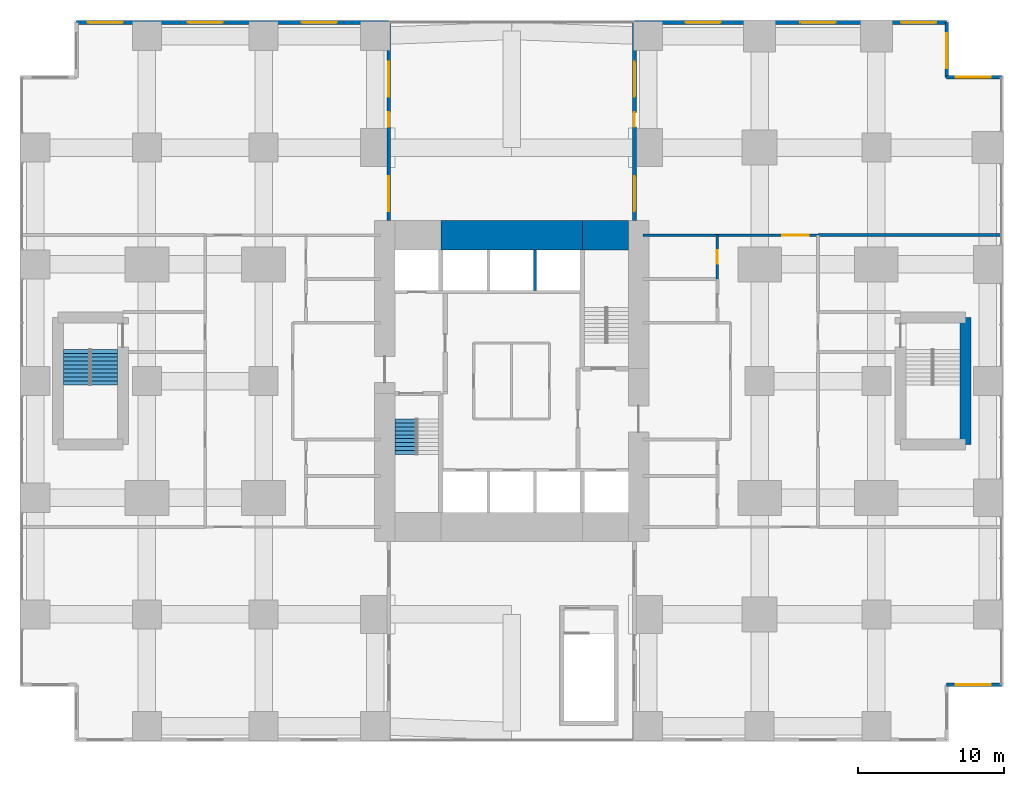
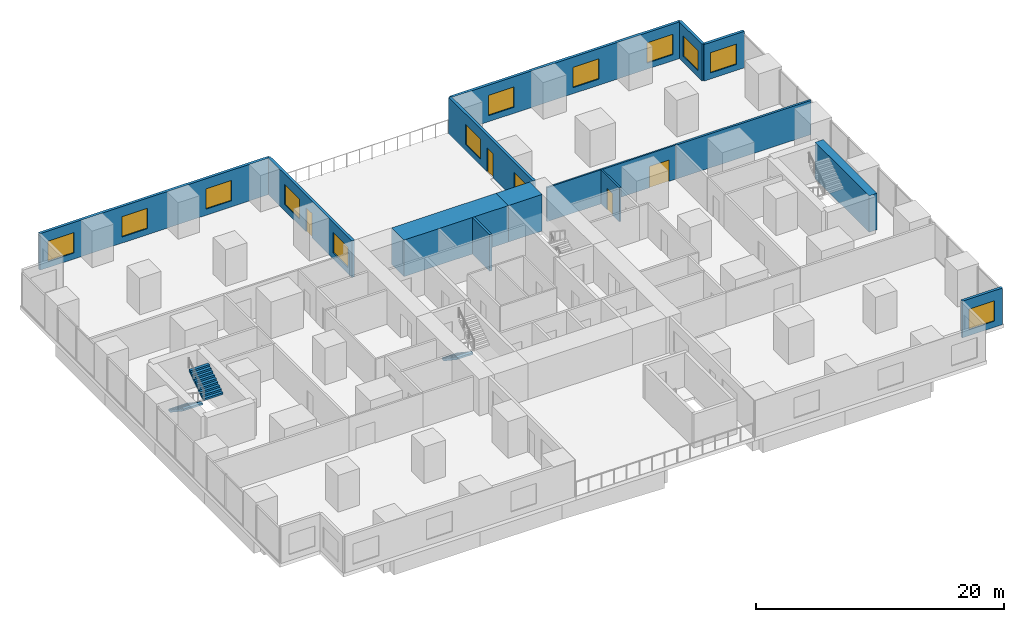
# One storey, part 13 of 15: 14 walls, 13 windows, 4 doors, 3 stair flights, 17 openings, 2 elements without a shape of their own.
"""IFC4 building model written with IfcOpenShell, lengths in metres."""

from ifc_helpers import new_model, si_unit, direction, frame, frame_2d, origin, place, context, subcontext, project, spatial, polyline, rectangle, outline, extrude, material, layer, layer_set, type_object, element, fill, aggregate, save


model = new_model("IFC4")

# Units and contexts
model_context = context("Model", 3, precision=1e-05, world=origin(), true_north=direction((0.0, 1.0)))
body_context = subcontext(model_context, "Body", "Model", "MODEL_VIEW")
ifc_project = project(units=[si_unit("LENGTHUNIT", "METRE"), si_unit("AREAUNIT", "SQUARE_METRE"), si_unit("VOLUMEUNIT", "CUBIC_METRE"), si_unit("PLANEANGLEUNIT", "RADIAN"), si_unit("MASSUNIT", "GRAM", prefix="KILO")], contexts=[model_context])

# Site, building, storey
site_placement = place(None, origin())
site = spatial("IfcSite", under=ifc_project, at=site_placement, CompositionType="ELEMENT")
building_placement = place(site_placement, origin())
building = spatial("IfcBuilding", under=site, at=building_placement, Name="Cleftline Residences", CompositionType="ELEMENT")
storey_placement = place(building_placement, frame((0.0, 0.0, 26.0)))
storey = spatial("IfcBuildingStorey", under=building, at=storey_placement, Name="L05", CompositionType="ELEMENT", Elevation=26.0)

# Walls
ifc_material_1 = material(Name="Concrete B70", Category="concrete")
ifc_layer_1 = layer(ifc_material_1, 2.0)
ifc_layer_set_1 = layer_set([ifc_layer_1], Name="CORE WALL 2000")
wall_type_1 = type_object("IfcWallType", Name="CORE WALL 2000", PredefinedType="SHEAR", material=ifc_layer_set_1)
wall_1_placement = place(storey_placement, frame((28.14990234375, 34.0, 0.0), z_axis=(0.0, 0.0, 1.0), x_axis=(1.0, 0.0, 0.0)))
element("IfcWall", 1, at=wall_1_placement, inside=storey, type_object=wall_type_1, Name="Core wall N2", PredefinedType="SHEAR", context=body_context, shape_type="SweptSolid", body=[
    extrude(rectangle(XDim=9.7001953125, YDim=2.0, at=frame_2d((4.85009765625, 0.0))), origin(), (0.0, 0.0, 1.0), 3.60009765625),
])
wall_2_placement = place(storey_placement, frame((37.85009765625, 34.0, 0.0), z_axis=(0.0, 0.0, 1.0), x_axis=(1.0, 0.0, 0.0)))
element("IfcWall", 2, at=wall_2_placement, inside=storey, type_object=wall_type_1, Name="Core wall N3", PredefinedType="SHEAR", context=body_context, shape_type="SweptSolid", body=[
    extrude(rectangle(XDim=3.14990234375, YDim=2.0, at=frame_2d((1.574951171875, 0.0))), origin(), (0.0, 0.0, 1.0), 3.60009765625),
])

# Wall, opening, window
ifc_material_2 = material(Name="Rendered reinforced concrete blockwork", Category="masonry")
ifc_layer_2 = layer(ifc_material_2, 0.25)
ifc_layer_set_2 = layer_set([ifc_layer_2], Name="EXTERNAL WALL 250")
wall_type_2 = type_object("IfcWallType", Name="EXTERNAL WALL 250", PredefinedType="SOLIDWALL", material=ifc_layer_set_2)
wall_3_placement = place(storey_placement, frame((62.824951171875, 3.175048828125, 0.0), z_axis=(0.0, 0.0, 1.0), x_axis=(1.0, 0.0, 0.0)))
wall_3 = element("IfcWall", 3, at=wall_3_placement, inside=storey, type_object=wall_type_2, Name="External wall", PredefinedType="SOLIDWALL", context=body_context, shape_type="SweptSolid", body=[
    extrude(rectangle(XDim=3.75, YDim=0.25, at=frame_2d((1.875, 0.0))), origin(), (0.0, 0.0, 1.0), 3.60009765625),
])
opening_1_placement = place(wall_3_placement, frame((0.612548828125, 0.0, 0.60009765625)))
opening_1 = element("IfcOpeningElement", 4, at=opening_1_placement, cuts=wall_3, Name="Opening W6", PredefinedType="OPENING", context=body_context, shape_type="SweptSolid", body=[
    extrude(rectangle(XDim=2.39990234375, YDim=2.0, at=frame_2d((1.199951171875, 1.0))), frame((0.0, 0.135009765625, 0.0), z_axis=(0.0, -1.0, 0.0), x_axis=(1.0, 0.0, 0.0)), (0.0, 0.0, 1.0), 0.27001953125),
])
ifc_material_3 = material(Name="Aluminium frame, clear double glazing", Category="aluminium")
window_type = type_object("IfcWindowType", Name="WINDOW 2400X2000", PartitioningType="DOUBLE_PANEL_VERTICAL", PredefinedType="WINDOW", material=ifc_material_3)
window_1_placement = place(opening_1_placement, origin())
window_1 = element("IfcWindow", 5, at=window_1_placement, inside=storey, type_object=window_type, Name="Window", OverallHeight=2.0, OverallWidth=2.39990234375, PartitioningType="SINGLE_PANEL", PredefinedType="WINDOW", context=body_context, shape_type="SweptSolid", body=[
    extrude(rectangle(XDim=2.39990234375, YDim=2.0, at=frame_2d((1.199951171875, 1.0))), frame((0.0, 0.030029296875, 0.0), z_axis=(0.0, -1.0, 0.0), x_axis=(1.0, 0.0, 0.0)), (0.0, 0.0, 1.0), 0.06005859375),
])
fill(opening_1, window_1)

wall_4_placement = place(storey_placement, frame((66.574951171875, 44.824951171875, 0.0), z_axis=(0.0, 0.0, 1.0), x_axis=(-1.0, 0.0, 0.0)))
wall_4 = element("IfcWall", 6, at=wall_4_placement, inside=storey, type_object=wall_type_2, Name="External wall", PredefinedType="SOLIDWALL", context=body_context, shape_type="SweptSolid", body=[
    extrude(rectangle(XDim=3.75, YDim=0.25, at=frame_2d((1.875, 0.0))), origin(), (0.0, 0.0, 1.0), 3.60009765625),
])
opening_2_placement = place(wall_4_placement, frame((0.737548828125, 0.0, 0.60009765625)))
opening_2 = element("IfcOpeningElement", 7, at=opening_2_placement, cuts=wall_4, Name="Opening W6", PredefinedType="OPENING", context=body_context, shape_type="SweptSolid", body=[
    extrude(rectangle(XDim=2.39990234375, YDim=2.0, at=frame_2d((1.199951171875, 1.0))), frame((0.0, 0.135009765625, 0.0), z_axis=(0.0, -1.0, 0.0), x_axis=(1.0, 0.0, 0.0)), (0.0, 0.0, 1.0), 0.27001953125),
])
window_2_placement = place(opening_2_placement, origin())
window_2 = element("IfcWindow", 8, at=window_2_placement, inside=storey, type_object=window_type, Name="Window", OverallHeight=2.0, OverallWidth=2.39990234375, PartitioningType="SINGLE_PANEL", PredefinedType="WINDOW", context=body_context, shape_type="SweptSolid", body=[
    extrude(rectangle(XDim=2.39990234375, YDim=2.0, at=frame_2d((1.199951171875, 1.0))), frame((0.0, 0.030029296875, 0.0), z_axis=(0.0, -1.0, 0.0), x_axis=(1.0, 0.0, 0.0)), (0.0, 0.0, 1.0), 0.06005859375),
])
fill(opening_2, window_2)

wall_5_placement = place(storey_placement, frame((62.824951171875, 44.824951171875, 0.0), z_axis=(0.0, 0.0, 1.0), x_axis=(0.0, 1.0, 0.0)))
wall_5 = element("IfcWall", 9, at=wall_5_placement, inside=storey, type_object=wall_type_2, Name="External wall", PredefinedType="SOLIDWALL", context=body_context, shape_type="SweptSolid", body=[
    extrude(rectangle(XDim=3.75, YDim=0.25, at=frame_2d((1.875, 0.0))), origin(), (0.0, 0.0, 1.0), 3.60009765625),
])
opening_3_placement = place(wall_5_placement, frame((0.612548828125, 0.0, 0.60009765625)))
opening_3 = element("IfcOpeningElement", 10, at=opening_3_placement, cuts=wall_5, Name="Opening W6", PredefinedType="OPENING", context=body_context, shape_type="SweptSolid", body=[
    extrude(rectangle(XDim=2.39990234375, YDim=2.0, at=frame_2d((1.199951171875, 1.0))), frame((0.0, 0.135009765625, 0.0), z_axis=(0.0, -1.0, 0.0), x_axis=(1.0, 0.0, 0.0)), (0.0, 0.0, 1.0), 0.27001953125),
])
window_3_placement = place(opening_3_placement, origin())
window_3 = element("IfcWindow", 11, at=window_3_placement, inside=storey, type_object=window_type, Name="Window", OverallHeight=2.0, OverallWidth=2.39990234375, PartitioningType="SINGLE_PANEL", PredefinedType="WINDOW", context=body_context, shape_type="SweptSolid", body=[
    extrude(rectangle(XDim=2.39990234375, YDim=2.0, at=frame_2d((1.199951171875, 1.0))), frame((0.0, 0.030029296875, 0.0), z_axis=(0.0, -1.0, 0.0), x_axis=(1.0, 0.0, 0.0)), (0.0, 0.0, 1.0), 0.06005859375),
])
fill(opening_3, window_3)

# Wall, openings, windows
wall_6_placement = place(storey_placement, frame((62.824951171875, 48.574951171875, 0.0), z_axis=(0.0, 0.0, 1.0), x_axis=(-1.0, 0.0, 0.0)))
wall_6 = element("IfcWall", 12, at=wall_6_placement, inside=storey, type_object=wall_type_2, Name="External wall", PredefinedType="SOLIDWALL", context=body_context, shape_type="SweptSolid", body=[
    extrude(rectangle(XDim=21.39990234375, YDim=0.25, at=frame_2d((10.699951171875, 0.0))), origin(), (0.0, 0.0, 1.0), 3.60009765625),
])
opening_4_placement = place(wall_6_placement, frame((0.72509765625, 0.0, 0.60009765625)))
opening_4 = element("IfcOpeningElement", 13, at=opening_4_placement, cuts=wall_6, Name="Opening W6", PredefinedType="OPENING", context=body_context, shape_type="SweptSolid", body=[
    extrude(rectangle(XDim=2.39990234375, YDim=2.0, at=frame_2d((1.199951171875, 1.0))), frame((0.0, 0.135009765625, 0.0), z_axis=(0.0, -1.0, 0.0), x_axis=(1.0, 0.0, 0.0)), (0.0, 0.0, 1.0), 0.27001953125),
])
opening_5_placement = place(wall_6_placement, frame((7.625, 0.0, 0.60009765625)))
opening_5 = element("IfcOpeningElement", 14, at=opening_5_placement, cuts=wall_6, Name="Opening W6", PredefinedType="OPENING", context=body_context, shape_type="SweptSolid", body=[
    extrude(rectangle(XDim=2.39990234375, YDim=2.0, at=frame_2d((1.199951171875, 1.0))), frame((0.0, 0.135009765625, 0.0), z_axis=(0.0, -1.0, 0.0), x_axis=(1.0, 0.0, 0.0)), (0.0, 0.0, 1.0), 0.27001953125),
])
opening_6_placement = place(wall_6_placement, frame((15.5, 0.0, 0.60009765625)))
opening_6 = element("IfcOpeningElement", 15, at=opening_6_placement, cuts=wall_6, Name="Opening W6", PredefinedType="OPENING", context=body_context, shape_type="SweptSolid", body=[
    extrude(rectangle(XDim=2.39990234375, YDim=2.0, at=frame_2d((1.199951171875, 1.0))), frame((0.0, 0.135009765625, 0.0), z_axis=(0.0, -1.0, 0.0), x_axis=(1.0, 0.0, 0.0)), (0.0, 0.0, 1.0), 0.27001953125),
])
window_4_placement = place(opening_4_placement, origin())
window_4 = element("IfcWindow", 16, at=window_4_placement, inside=storey, type_object=window_type, Name="Window", OverallHeight=2.0, OverallWidth=2.39990234375, PartitioningType="SINGLE_PANEL", PredefinedType="WINDOW", context=body_context, shape_type="SweptSolid", body=[
    extrude(rectangle(XDim=2.39990234375, YDim=2.0, at=frame_2d((1.199951171875, 1.0))), frame((0.0, 0.030029296875, 0.0), z_axis=(0.0, -1.0, 0.0), x_axis=(1.0, 0.0, 0.0)), (0.0, 0.0, 1.0), 0.06005859375),
])
fill(opening_4, window_4)
window_5_placement = place(opening_5_placement, origin())
window_5 = element("IfcWindow", 17, at=window_5_placement, inside=storey, type_object=window_type, Name="Window", OverallHeight=2.0, OverallWidth=2.39990234375, PartitioningType="SINGLE_PANEL", PredefinedType="WINDOW", context=body_context, shape_type="SweptSolid", body=[
    extrude(rectangle(XDim=2.39990234375, YDim=2.0, at=frame_2d((1.199951171875, 1.0))), frame((0.0, 0.030029296875, 0.0), z_axis=(0.0, -1.0, 0.0), x_axis=(1.0, 0.0, 0.0)), (0.0, 0.0, 1.0), 0.06005859375),
])
fill(opening_5, window_5)
window_6_placement = place(opening_6_placement, origin())
window_6 = element("IfcWindow", 18, at=window_6_placement, inside=storey, type_object=window_type, Name="Window", OverallHeight=2.0, OverallWidth=2.39990234375, PartitioningType="SINGLE_PANEL", PredefinedType="WINDOW", context=body_context, shape_type="SweptSolid", body=[
    extrude(rectangle(XDim=2.39990234375, YDim=2.0, at=frame_2d((1.199951171875, 1.0))), frame((0.0, 0.030029296875, 0.0), z_axis=(0.0, -1.0, 0.0), x_axis=(1.0, 0.0, 0.0)), (0.0, 0.0, 1.0), 0.06005859375),
])
fill(opening_6, window_6)

# Wall, openings, door, windows
wall_7_placement = place(storey_placement, frame((41.425048828125, 48.574951171875, 0.0), z_axis=(0.0, 0.0, 1.0), x_axis=(0.0, -1.0, 0.0)))
wall_7 = element("IfcWall", 19, at=wall_7_placement, inside=storey, type_object=wall_type_2, Name="External wall", PredefinedType="SOLIDWALL", context=body_context, shape_type="SweptSolid", body=[
    extrude(rectangle(XDim=13.574951171875, YDim=0.25, at=frame_2d((6.78759765625, 0.0))), origin(), (0.0, 0.0, 1.0), 3.60009765625),
])
opening_7_placement = place(wall_7_placement, frame((6.14990234375, 0.0, 0.0)))
opening_7 = element("IfcOpeningElement", 20, at=opening_7_placement, cuts=wall_7, Name="Opening DT1", PredefinedType="OPENING", context=body_context, shape_type="SweptSolid", body=[
    extrude(rectangle(XDim=1.0, YDim=2.39990234375, at=frame_2d((0.5, 1.199951171875))), frame((0.0, 0.135009765625, 0.0), z_axis=(0.0, -1.0, 0.0), x_axis=(1.0, 0.0, 0.0)), (0.0, 0.0, 1.0), 0.27001953125),
])
opening_8_placement = place(wall_7_placement, frame((2.6875, 0.0, 0.60009765625)))
opening_8 = element("IfcOpeningElement", 21, at=opening_8_placement, cuts=wall_7, Name="Opening W6", PredefinedType="OPENING", context=body_context, shape_type="SweptSolid", body=[
    extrude(rectangle(XDim=2.39990234375, YDim=2.0, at=frame_2d((1.199951171875, 1.0))), frame((0.0, 0.135009765625, 0.0), z_axis=(0.0, -1.0, 0.0), x_axis=(1.0, 0.0, 0.0)), (0.0, 0.0, 1.0), 0.27001953125),
])
opening_9_placement = place(wall_7_placement, frame((10.52490234375, 0.0, 0.60009765625)))
opening_9 = element("IfcOpeningElement", 22, at=opening_9_placement, cuts=wall_7, Name="Opening W6", PredefinedType="OPENING", context=body_context, shape_type="SweptSolid", body=[
    extrude(rectangle(XDim=2.39990234375, YDim=2.0, at=frame_2d((1.199951171875, 1.0))), frame((0.0, 0.135009765625, 0.0), z_axis=(0.0, -1.0, 0.0), x_axis=(1.0, 0.0, 0.0)), (0.0, 0.0, 1.0), 0.27001953125),
])
ifc_material_4 = material(Name="Aluminium and laminated glass", Category="aluminium")
door_type_1 = type_object("IfcDoorType", Name="TERRACE DOOR 1000X2400", OperationType="SINGLE_SWING_LEFT", PredefinedType="DOOR", material=ifc_material_4)
door_1_placement = place(opening_7_placement, origin())
door_1 = element("IfcDoor", 23, at=door_1_placement, inside=storey, type_object=door_type_1, Name="Terrace door", OperationType="SINGLE_SWING_RIGHT", OverallHeight=2.39990234375, OverallWidth=1.0, PredefinedType="DOOR", context=body_context, shape_type="SweptSolid", body=[
    extrude(rectangle(XDim=1.0, YDim=2.39990234375, at=frame_2d((0.5, 1.199951171875))), frame((0.0, 0.02490234375, 0.0), z_axis=(0.0, -1.0, 0.0), x_axis=(1.0, 0.0, 0.0)), (0.0, 0.0, 1.0), 0.050048828125),
])
fill(opening_7, door_1)
window_7_placement = place(opening_8_placement, origin())
window_7 = element("IfcWindow", 24, at=window_7_placement, inside=storey, type_object=window_type, Name="Window", OverallHeight=2.0, OverallWidth=2.39990234375, PartitioningType="SINGLE_PANEL", PredefinedType="WINDOW", context=body_context, shape_type="SweptSolid", body=[
    extrude(rectangle(XDim=2.39990234375, YDim=2.0, at=frame_2d((1.199951171875, 1.0))), frame((0.0, 0.030029296875, 0.0), z_axis=(0.0, -1.0, 0.0), x_axis=(1.0, 0.0, 0.0)), (0.0, 0.0, 1.0), 0.06005859375),
])
fill(opening_8, window_7)
window_8_placement = place(opening_9_placement, origin())
window_8 = element("IfcWindow", 25, at=window_8_placement, inside=storey, type_object=window_type, Name="Window", OverallHeight=2.0, OverallWidth=2.39990234375, PartitioningType="SINGLE_PANEL", PredefinedType="WINDOW", context=body_context, shape_type="SweptSolid", body=[
    extrude(rectangle(XDim=2.39990234375, YDim=2.0, at=frame_2d((1.199951171875, 1.0))), frame((0.0, 0.030029296875, 0.0), z_axis=(0.0, -1.0, 0.0), x_axis=(1.0, 0.0, 0.0)), (0.0, 0.0, 1.0), 0.06005859375),
])
fill(opening_9, window_8)

wall_8_placement = place(storey_placement, frame((24.574951171875, 35.0, 0.0), z_axis=(0.0, 0.0, 1.0), x_axis=(0.0, 1.0, 0.0)))
wall_8 = element("IfcWall", 26, at=wall_8_placement, inside=storey, type_object=wall_type_2, Name="External wall", PredefinedType="SOLIDWALL", context=body_context, shape_type="SweptSolid", body=[
    extrude(rectangle(XDim=13.574951171875, YDim=0.25, at=frame_2d((6.78759765625, 0.0))), origin(), (0.0, 0.0, 1.0), 3.60009765625),
])
opening_10_placement = place(wall_8_placement, frame((6.425048828125, 0.0, 0.0)))
opening_10 = element("IfcOpeningElement", 27, at=opening_10_placement, cuts=wall_8, Name="Opening DT1", PredefinedType="OPENING", context=body_context, shape_type="SweptSolid", body=[
    extrude(rectangle(XDim=1.0, YDim=2.39990234375, at=frame_2d((0.5, 1.199951171875))), frame((0.0, 0.135009765625, 0.0), z_axis=(0.0, -1.0, 0.0), x_axis=(1.0, 0.0, 0.0)), (0.0, 0.0, 1.0), 0.27001953125),
])
opening_11_placement = place(wall_8_placement, frame((0.64990234375, 0.0, 0.60009765625)))
opening_11 = element("IfcOpeningElement", 28, at=opening_11_placement, cuts=wall_8, Name="Opening W6", PredefinedType="OPENING", context=body_context, shape_type="SweptSolid", body=[
    extrude(rectangle(XDim=2.39990234375, YDim=2.0, at=frame_2d((1.199951171875, 1.0))), frame((0.0, 0.135009765625, 0.0), z_axis=(0.0, -1.0, 0.0), x_axis=(1.0, 0.0, 0.0)), (0.0, 0.0, 1.0), 0.27001953125),
])
opening_12_placement = place(wall_8_placement, frame((8.487548828125, 0.0, 0.60009765625)))
opening_12 = element("IfcOpeningElement", 29, at=opening_12_placement, cuts=wall_8, Name="Opening W6", PredefinedType="OPENING", context=body_context, shape_type="SweptSolid", body=[
    extrude(rectangle(XDim=2.39990234375, YDim=2.0, at=frame_2d((1.199951171875, 1.0))), frame((0.0, 0.135009765625, 0.0), z_axis=(0.0, -1.0, 0.0), x_axis=(1.0, 0.0, 0.0)), (0.0, 0.0, 1.0), 0.27001953125),
])
door_2_placement = place(opening_10_placement, origin())
door_2 = element("IfcDoor", 30, at=door_2_placement, inside=storey, type_object=door_type_1, Name="Terrace door", OperationType="SINGLE_SWING_LEFT", OverallHeight=2.39990234375, OverallWidth=1.0, PredefinedType="DOOR", context=body_context, shape_type="SweptSolid", body=[
    extrude(rectangle(XDim=1.0, YDim=2.39990234375, at=frame_2d((0.5, 1.199951171875))), frame((0.0, 0.02490234375, 0.0), z_axis=(0.0, -1.0, 0.0), x_axis=(1.0, 0.0, 0.0)), (0.0, 0.0, 1.0), 0.050048828125),
])
fill(opening_10, door_2)
window_9_placement = place(opening_11_placement, origin())
window_9 = element("IfcWindow", 31, at=window_9_placement, inside=storey, type_object=window_type, Name="Window", OverallHeight=2.0, OverallWidth=2.39990234375, PartitioningType="SINGLE_PANEL", PredefinedType="WINDOW", context=body_context, shape_type="SweptSolid", body=[
    extrude(rectangle(XDim=2.39990234375, YDim=2.0, at=frame_2d((1.199951171875, 1.0))), frame((0.0, 0.030029296875, 0.0), z_axis=(0.0, -1.0, 0.0), x_axis=(1.0, 0.0, 0.0)), (0.0, 0.0, 1.0), 0.06005859375),
])
fill(opening_11, window_9)
window_10_placement = place(opening_12_placement, origin())
window_10 = element("IfcWindow", 32, at=window_10_placement, inside=storey, type_object=window_type, Name="Window", OverallHeight=2.0, OverallWidth=2.39990234375, PartitioningType="SINGLE_PANEL", PredefinedType="WINDOW", context=body_context, shape_type="SweptSolid", body=[
    extrude(rectangle(XDim=2.39990234375, YDim=2.0, at=frame_2d((1.199951171875, 1.0))), frame((0.0, 0.030029296875, 0.0), z_axis=(0.0, -1.0, 0.0), x_axis=(1.0, 0.0, 0.0)), (0.0, 0.0, 1.0), 0.06005859375),
])
fill(opening_12, window_10)

# Wall, openings, windows
wall_9_placement = place(storey_placement, frame((24.574951171875, 48.574951171875, 0.0), z_axis=(0.0, 0.0, 1.0), x_axis=(-1.0, 0.0, 0.0)))
wall_9 = element("IfcWall", 33, at=wall_9_placement, inside=storey, type_object=wall_type_2, Name="External wall", PredefinedType="SOLIDWALL", context=body_context, shape_type="SweptSolid", body=[
    extrude(rectangle(XDim=21.39990234375, YDim=0.25, at=frame_2d((10.699951171875, 0.0))), origin(), (0.0, 0.0, 1.0), 3.60009765625),
])
opening_13_placement = place(wall_9_placement, frame((3.550048828125, 0.0, 0.60009765625)))
opening_13 = element("IfcOpeningElement", 34, at=opening_13_placement, cuts=wall_9, Name="Opening W6", PredefinedType="OPENING", context=body_context, shape_type="SweptSolid", body=[
    extrude(rectangle(XDim=2.39990234375, YDim=2.0, at=frame_2d((1.199951171875, 1.0))), frame((0.0, 0.135009765625, 0.0), z_axis=(0.0, -1.0, 0.0), x_axis=(1.0, 0.0, 0.0)), (0.0, 0.0, 1.0), 0.27001953125),
])
opening_14_placement = place(wall_9_placement, frame((11.375, 0.0, 0.60009765625)))
opening_14 = element("IfcOpeningElement", 35, at=opening_14_placement, cuts=wall_9, Name="Opening W6", PredefinedType="OPENING", context=body_context, shape_type="SweptSolid", body=[
    extrude(rectangle(XDim=2.39990234375, YDim=2.0, at=frame_2d((1.199951171875, 1.0))), frame((0.0, 0.135009765625, 0.0), z_axis=(0.0, -1.0, 0.0), x_axis=(1.0, 0.0, 0.0)), (0.0, 0.0, 1.0), 0.27001953125),
])
opening_15_placement = place(wall_9_placement, frame((18.22509765625, 0.0, 0.60009765625)))
opening_15 = element("IfcOpeningElement", 36, at=opening_15_placement, cuts=wall_9, Name="Opening W6", PredefinedType="OPENING", context=body_context, shape_type="SweptSolid", body=[
    extrude(rectangle(XDim=2.39990234375, YDim=2.0, at=frame_2d((1.199951171875, 1.0))), frame((0.0, 0.135009765625, 0.0), z_axis=(0.0, -1.0, 0.0), x_axis=(1.0, 0.0, 0.0)), (0.0, 0.0, 1.0), 0.27001953125),
])
window_11_placement = place(opening_13_placement, origin())
window_11 = element("IfcWindow", 37, at=window_11_placement, inside=storey, type_object=window_type, Name="Window", OverallHeight=2.0, OverallWidth=2.39990234375, PartitioningType="SINGLE_PANEL", PredefinedType="WINDOW", context=body_context, shape_type="SweptSolid", body=[
    extrude(rectangle(XDim=2.39990234375, YDim=2.0, at=frame_2d((1.199951171875, 1.0))), frame((0.0, 0.030029296875, 0.0), z_axis=(0.0, -1.0, 0.0), x_axis=(1.0, 0.0, 0.0)), (0.0, 0.0, 1.0), 0.06005859375),
])
fill(opening_13, window_11)
window_12_placement = place(opening_14_placement, origin())
window_12 = element("IfcWindow", 38, at=window_12_placement, inside=storey, type_object=window_type, Name="Window", OverallHeight=2.0, OverallWidth=2.39990234375, PartitioningType="SINGLE_PANEL", PredefinedType="WINDOW", context=body_context, shape_type="SweptSolid", body=[
    extrude(rectangle(XDim=2.39990234375, YDim=2.0, at=frame_2d((1.199951171875, 1.0))), frame((0.0, 0.030029296875, 0.0), z_axis=(0.0, -1.0, 0.0), x_axis=(1.0, 0.0, 0.0)), (0.0, 0.0, 1.0), 0.06005859375),
])
fill(opening_14, window_12)
window_13_placement = place(opening_15_placement, origin())
window_13 = element("IfcWindow", 39, at=window_13_placement, inside=storey, type_object=window_type, Name="Window", OverallHeight=2.0, OverallWidth=2.39990234375, PartitioningType="SINGLE_PANEL", PredefinedType="WINDOW", context=body_context, shape_type="SweptSolid", body=[
    extrude(rectangle(XDim=2.39990234375, YDim=2.0, at=frame_2d((1.199951171875, 1.0))), frame((0.0, 0.030029296875, 0.0), z_axis=(0.0, -1.0, 0.0), x_axis=(1.0, 0.0, 0.0)), (0.0, 0.0, 1.0), 0.06005859375),
])
fill(opening_15, window_13)

# Wall
ifc_material_5 = material(Name="Concrete blockwork, fire rated", Category="masonry")
ifc_layer_3 = layer(ifc_material_5, 0.199951171875)
ifc_layer_set_3 = layer_set([ifc_layer_3], Name="FIRE WALL 200")
wall_type_3 = type_object("IfcWallType", Name="FIRE WALL 200", PredefinedType="PARTITIONING", material=ifc_layer_set_3)
wall_10_placement = place(storey_placement, frame((54.0, 34.0, 0.0), z_axis=(0.0, 0.0, 1.0), x_axis=(1.0, 0.0, 0.0)))
element("IfcWall", 40, at=wall_10_placement, inside=storey, type_object=wall_type_3, Name="Fire separating wall", PredefinedType="PARTITIONING", context=body_context, shape_type="SweptSolid", body=[
    extrude(rectangle(XDim=12.56103515625, YDim=0.199951171875, at=frame_2d((6.280517578125, 0.0))), origin(), (0.0, 0.0, 1.0), 3.35009765625),
])

# Wall, opening, door
ifc_material_6 = material(Name="Gypsum board on steel studs", Category="steel")
ifc_layer_4 = layer(ifc_material_6, 0.14990234375)
ifc_layer_set_4 = layer_set([ifc_layer_4], Name="PARTITION 150")
wall_type_4 = type_object("IfcWallType", Name="PARTITION 150", PredefinedType="PARTITIONING", material=ifc_layer_set_4)
wall_11_placement = place(storey_placement, frame((42.0, 34.0, 0.0), z_axis=(0.0, 0.0, 1.0), x_axis=(1.0, 0.0, 0.0)))
wall_11 = element("IfcWall", 41, at=wall_11_placement, inside=storey, type_object=wall_type_4, Name="Partition", PredefinedType="PARTITIONING", context=body_context, shape_type="SweptSolid", body=[
    extrude(rectangle(XDim=12.0, YDim=0.14990234375, at=frame_2d((6.0, 0.0))), origin(), (0.0, 0.0, 1.0), 3.35009765625),
])
opening_16_placement = place(wall_11_placement, frame((9.550048828125, 0.0, 0.0)))
opening_16 = element("IfcOpeningElement", 42, at=opening_16_placement, cuts=wall_11, Name="Opening D3", PredefinedType="OPENING", context=body_context, shape_type="SweptSolid", body=[
    extrude(rectangle(XDim=1.800048828125, YDim=2.10009765625, at=frame_2d((0.89990234375, 1.050048828125))), frame((0.0, 0.0849609375, 0.0), z_axis=(0.0, -1.0, 0.0), x_axis=(1.0, 0.0, 0.0)), (0.0, 0.0, 1.0), 0.169921875),
])
ifc_material_7 = material(Name="Timber veneer on solid core", Category="wood")
door_type_2 = type_object("IfcDoorType", Name="DOUBLE DOOR 1800X2100", OperationType="DOUBLE_DOOR_DOUBLE_SWING", PredefinedType="DOOR", material=ifc_material_7)
door_3_placement = place(opening_16_placement, origin())
door_3 = element("IfcDoor", 43, at=door_3_placement, inside=storey, type_object=door_type_2, Name="Door to garden lounge", OperationType="DOUBLE_DOOR_DOUBLE_SWING", OverallHeight=2.10009765625, OverallWidth=1.800048828125, PredefinedType="DOOR", context=body_context, shape_type="SweptSolid", body=[
    extrude(rectangle(XDim=1.800048828125, YDim=2.10009765625, at=frame_2d((0.89990234375, 1.050048828125))), frame((0.0, 0.02490234375, 0.0), z_axis=(0.0, -1.0, 0.0), x_axis=(1.0, 0.0, 0.0)), (0.0, 0.0, 1.0), 0.050048828125),
])
fill(opening_16, door_3)

wall_12_placement = place(storey_placement, frame((47.10009765625, 31.0, 0.0), z_axis=(0.0, 0.0, 1.0), x_axis=(0.0, 1.0, 0.0)))
wall_12 = element("IfcWall", 44, at=wall_12_placement, inside=storey, type_object=wall_type_4, Name="Partition", PredefinedType="PARTITIONING", context=body_context, shape_type="SweptSolid", body=[
    extrude(rectangle(XDim=3.0, YDim=0.14990234375, at=frame_2d((1.5, 0.0))), origin(), (0.0, 0.0, 1.0), 3.35009765625),
])
opening_17_placement = place(wall_12_placement, frame((1.050048828125, 0.0, 0.0)))
opening_17 = element("IfcOpeningElement", 45, at=opening_17_placement, cuts=wall_12, Name="Opening D1", PredefinedType="OPENING", context=body_context, shape_type="SweptSolid", body=[
    extrude(rectangle(XDim=0.89990234375, YDim=2.10009765625, at=frame_2d((0.449951171875, 1.050048828125))), frame((0.0, 0.0849609375, 0.0), z_axis=(0.0, -1.0, 0.0), x_axis=(1.0, 0.0, 0.0)), (0.0, 0.0, 1.0), 0.169921875),
])
ifc_material_8 = material(Name="Timber veneer on solid core", Category="wood")
door_type_3 = type_object("IfcDoorType", Name="DOOR 900X2100", OperationType="SINGLE_SWING_LEFT", PredefinedType="DOOR", material=ifc_material_8)
door_4_placement = place(opening_17_placement, origin())
door_4 = element("IfcDoor", 46, at=door_4_placement, inside=storey, type_object=door_type_3, Name="Door to cleaner's store", OperationType="SINGLE_SWING_LEFT", OverallHeight=2.10009765625, OverallWidth=0.89990234375, PredefinedType="DOOR", context=body_context, shape_type="SweptSolid", body=[
    extrude(rectangle(XDim=0.89990234375, YDim=2.10009765625, at=frame_2d((0.449951171875, 1.050048828125))), frame((0.0, 0.02490234375, 0.0), z_axis=(0.0, -1.0, 0.0), x_axis=(1.0, 0.0, 0.0)), (0.0, 0.0, 1.0), 0.050048828125),
])
fill(opening_17, door_4)

# Walls
ifc_material_9 = material(Name="Concrete blockwork, fire rated", Category="masonry")
ifc_layer_5 = layer(ifc_material_9, 0.199951171875)
ifc_layer_set_5 = layer_set([ifc_layer_5], Name="SHAFT WALL 200")
wall_type_5 = type_object("IfcWallType", Name="SHAFT WALL 200", PredefinedType="PARTITIONING", material=ifc_layer_set_5)
wall_13_placement = place(storey_placement, frame((34.60009765625, 30.199951171875, 0.0), z_axis=(0.0, 0.0, 1.0), x_axis=(0.0, 1.0, 0.0)))
element("IfcWall", 47, at=wall_13_placement, inside=storey, type_object=wall_type_5, Name="Lift shaft wall", PredefinedType="PARTITIONING", context=body_context, shape_type="SweptSolid", body=[
    extrude(rectangle(XDim=2.800048828125, YDim=0.199951171875, at=frame_2d((1.39990234375, 0.0))), origin(), (0.0, 0.0, 1.0), 3.60009765625),
])
ifc_material_10 = material(Name="Concrete B70", Category="concrete")
ifc_layer_6 = layer(ifc_material_10, 0.75)
ifc_layer_set_6 = layer_set([ifc_layer_6], Name="SHEAR WALL 750")
wall_type_6 = type_object("IfcWallType", Name="SHEAR WALL 750", PredefinedType="SHEAR", material=ifc_layer_set_6)
wall_14_placement = place(storey_placement, frame((64.10009765625, 19.64990234375, 0.0), z_axis=(0.0, 0.0, 1.0), x_axis=(0.0, 1.0, 0.0)))
element("IfcWall", 48, at=wall_14_placement, inside=storey, type_object=wall_type_6, Name="Wing shear wall", PredefinedType="SHEAR", context=body_context, shape_type="SweptSolid", body=[
    extrude(rectangle(XDim=8.7001953125, YDim=0.75, at=frame_2d((4.35009765625, 0.0))), origin(), (0.0, 0.0, 1.0), 3.60009765625),
])

# Stair, stair flight
ifc_material_11 = material(Name="Concrete B45, stone treads", Category="masonry")
stair_type_1 = type_object("IfcStairType", Name="STAIR A 1450 WIDE 180 RISER", PredefinedType="HALF_TURN_STAIR", material=ifc_material_11)
stair_1_placement = place(storey_placement, origin())
stair_1 = element("IfcStair", 49, at=stair_1_placement, inside=storey, type_object=stair_type_1, Name="Stair A L05", PredefinedType="HALF_TURN_STAIR")
ifc_material_12 = material(Name="Concrete B45", Category="concrete")
stair_flight_type_1 = type_object("IfcStairFlightType", Name="STAIR A FLIGHT 1450X180", PredefinedType="STRAIGHT", material=ifc_material_12)
stair_flight_1_placement = place(storey_placement, frame((25.72509765625, 21.39990234375, 0.0), z_axis=(0.0, 0.0, 1.0), x_axis=(0.0, -1.0, 0.0)))
stair_flight_1 = element("IfcStairFlight", 50, at=stair_flight_1_placement, type_object=stair_flight_type_1, Name="ST-A flight 1", NumberOfRisers=10, NumberOfTreads=9, PredefinedType="STRAIGHT", RiserHeight=0.18, TreadLength=0.27, context=body_context, shape_type="SweptSolid", body=[
    extrude(outline(polyline([(0.0, 0.0), (0.0, 0.013916015625), (0.0, 0.027587890625), (0.0, 0.04150390625), (0.0, 0.055419921875), (0.0, 0.0693359375), (0.0, 0.0830078125), (0.0, 0.096923828125), (0.0, 0.11083984375), (0.0, 0.12451171875), (0.0, 0.138427734375), (0.0, 0.15234375), (0.0, 0.166259765625), (0.0, 0.179931640625), (0.27001953125, 0.179931640625), (0.27001953125, 0.360107421875), (0.5400390625, 0.360107421875), (0.5400390625, 0.5400390625), (0.81005859375, 0.5400390625), (0.81005859375, 0.719970703125), (1.080078125, 0.719970703125), (1.080078125, 0.89990234375), (1.35009765625, 0.89990234375), (1.35009765625, 1.080078125), (1.6201171875, 1.080078125), (1.6201171875, 1.260009765625), (1.889892578125, 1.260009765625), (1.889892578125, 1.43994140625), (2.159912109375, 1.43994140625), (2.159912109375, 1.6201171875), (2.429931640625, 1.6201171875), (2.429931640625, 1.800048828125), (2.429931640625, 1.772216796875), (2.429931640625, 1.74462890625), (2.429931640625, 1.716796875), (2.429931640625, 1.689208984375), (2.429931640625, 1.661376953125), (2.429931640625, 1.6337890625), (2.429931640625, 1.60595703125), (2.429931640625, 1.578369140625), (2.429931640625, 1.550537109375), (2.429931640625, 1.52294921875), (2.429931640625, 1.495361328125), (2.429931640625, 1.467529296875), (2.429931640625, 1.43994140625), (0.270263671875, 0.0), (0.0, 0.0)])), frame((0.0, 0.72509765625, 0.0), z_axis=(0.0, -1.0, 0.0), x_axis=(1.0, 0.0, 0.0)), (0.0, 0.0, 1.0), 1.449951171875),
])
aggregate(stair_1, [stair_flight_1])

# Stair, stair flights
ifc_material_13 = material(Name="Concrete B45, stone treads", Category="masonry")
stair_type_2 = type_object("IfcStairType", Name="STAIR W 1800 WIDE 180 RISER", PredefinedType="HALF_TURN_STAIR", material=ifc_material_13)
stair_2_placement = place(storey_placement, origin())
stair_2 = element("IfcStair", 51, at=stair_2_placement, inside=storey, type_object=stair_type_2, Name="Stair W L05", PredefinedType="HALF_TURN_STAIR")
ifc_material_14 = material(Name="Concrete B45", Category="concrete")
stair_flight_type_2 = type_object("IfcStairFlightType", Name="STAIR W FLIGHT 1800X180", PredefinedType="STRAIGHT", material=ifc_material_14)
stair_flight_2_placement = place(storey_placement, frame((3.175048828125, 26.175048828125, 0.0), z_axis=(0.0, 0.0, 1.0), x_axis=(0.0, -1.0, 0.0)))
stair_flight_2 = element("IfcStairFlight", 52, at=stair_flight_2_placement, type_object=stair_flight_type_2, Name="ST-W flight 1", NumberOfRisers=10, NumberOfTreads=9, PredefinedType="STRAIGHT", RiserHeight=0.18, TreadLength=0.27, context=body_context, shape_type="SweptSolid", body=[
    extrude(outline(polyline([(0.0, 0.0), (0.0, 0.013916015625), (0.0, 0.027587890625), (0.0, 0.04150390625), (0.0, 0.055419921875), (0.0, 0.0693359375), (0.0, 0.0830078125), (0.0, 0.096923828125), (0.0, 0.11083984375), (0.0, 0.12451171875), (0.0, 0.138427734375), (0.0, 0.15234375), (0.0, 0.166259765625), (0.0, 0.179931640625), (0.27001953125, 0.179931640625), (0.27001953125, 0.360107421875), (0.5400390625, 0.360107421875), (0.5400390625, 0.5400390625), (0.81005859375, 0.5400390625), (0.81005859375, 0.719970703125), (1.080078125, 0.719970703125), (1.080078125, 0.89990234375), (1.35009765625, 0.89990234375), (1.35009765625, 1.080078125), (1.6201171875, 1.080078125), (1.6201171875, 1.260009765625), (1.889892578125, 1.260009765625), (1.889892578125, 1.43994140625), (2.159912109375, 1.43994140625), (2.159912109375, 1.6201171875), (2.429931640625, 1.6201171875), (2.429931640625, 1.800048828125), (2.429931640625, 1.772216796875), (2.429931640625, 1.74462890625), (2.429931640625, 1.716796875), (2.429931640625, 1.689208984375), (2.429931640625, 1.661376953125), (2.429931640625, 1.6337890625), (2.429931640625, 1.60595703125), (2.429931640625, 1.578369140625), (2.429931640625, 1.550537109375), (2.429931640625, 1.52294921875), (2.429931640625, 1.495361328125), (2.429931640625, 1.467529296875), (2.429931640625, 1.43994140625), (0.270263671875, 0.0), (0.0, 0.0)])), frame((0.0, 0.89990234375, 0.0), z_axis=(0.0, -1.0, 0.0), x_axis=(1.0, 0.0, 0.0)), (0.0, 0.0, 1.0), 1.800048828125),
])
stair_flight_3_placement = place(storey_placement, frame((5.074951171875, 23.7451171875, 1.800048828125), z_axis=(0.0, 0.0, 1.0), x_axis=(0.0, 1.0, 0.0)))
stair_flight_3 = element("IfcStairFlight", 53, at=stair_flight_3_placement, type_object=stair_flight_type_2, Name="ST-W flight 2", NumberOfRisers=10, NumberOfTreads=9, PredefinedType="STRAIGHT", RiserHeight=0.18, TreadLength=0.27, context=body_context, shape_type="SweptSolid", body=[
    extrude(outline(polyline([(0.0, 0.0), (0.0, 0.013916015625), (0.0, 0.027587890625), (0.0, 0.04150390625), (0.0, 0.055419921875), (0.0, 0.0693359375), (0.0, 0.0830078125), (0.0, 0.096923828125), (0.0, 0.11083984375), (0.0, 0.12451171875), (0.0, 0.138427734375), (0.0, 0.15234375), (0.0, 0.166259765625), (0.0, 0.179931640625), (0.27001953125, 0.179931640625), (0.27001953125, 0.360107421875), (0.5400390625, 0.360107421875), (0.5400390625, 0.5400390625), (0.81005859375, 0.5400390625), (0.81005859375, 0.719970703125), (1.080078125, 0.719970703125), (1.080078125, 0.89990234375), (1.35009765625, 0.89990234375), (1.35009765625, 1.080078125), (1.6201171875, 1.080078125), (1.6201171875, 1.260009765625), (1.889892578125, 1.260009765625), (1.889892578125, 1.43994140625), (2.159912109375, 1.43994140625), (2.159912109375, 1.6201171875), (2.429931640625, 1.6201171875), (2.429931640625, 1.800048828125), (2.429931640625, 1.772216796875), (2.429931640625, 1.74462890625), (2.429931640625, 1.716796875), (2.429931640625, 1.689208984375), (2.429931640625, 1.661376953125), (2.429931640625, 1.6337890625), (2.429931640625, 1.60595703125), (2.429931640625, 1.578369140625), (2.429931640625, 1.550537109375), (2.429931640625, 1.52294921875), (2.429931640625, 1.495361328125), (2.429931640625, 1.467529296875), (2.429931640625, 1.43994140625), (0.270263671875, 0.0), (0.0, 0.0)])), frame((0.0, 0.89990234375, 0.0), z_axis=(0.0, -1.0, 0.0), x_axis=(1.0, 0.0, 0.0)), (0.0, 0.0, 1.0), 1.800048828125),
])
aggregate(stair_2, [stair_flight_2, stair_flight_3])

save(model, "model.ifc")
